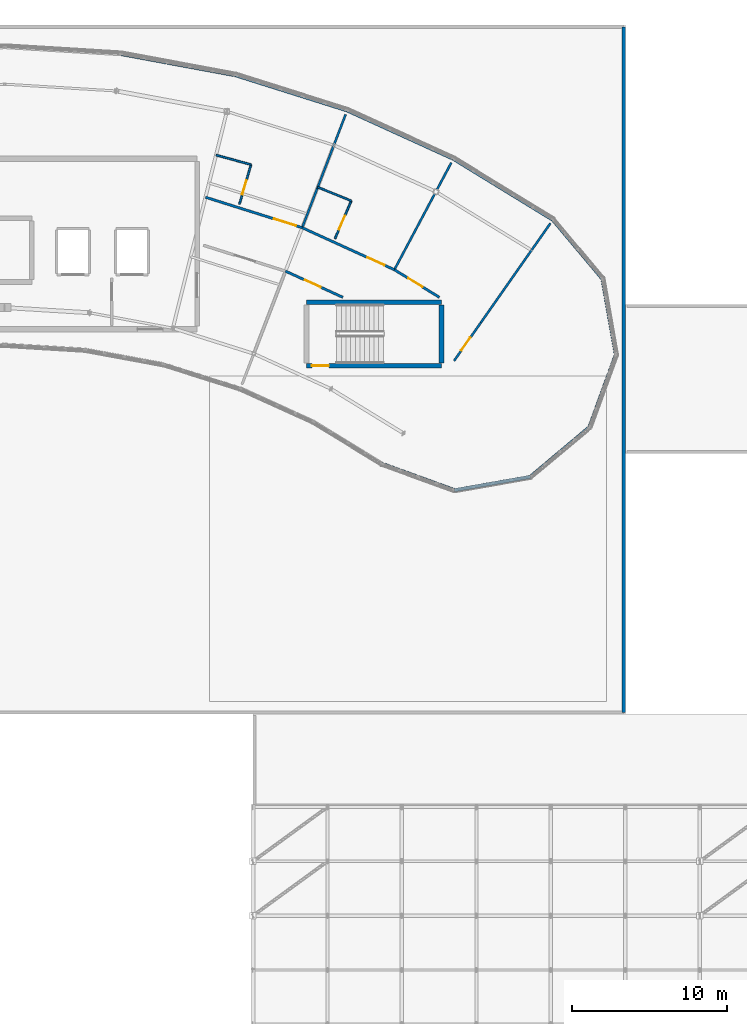
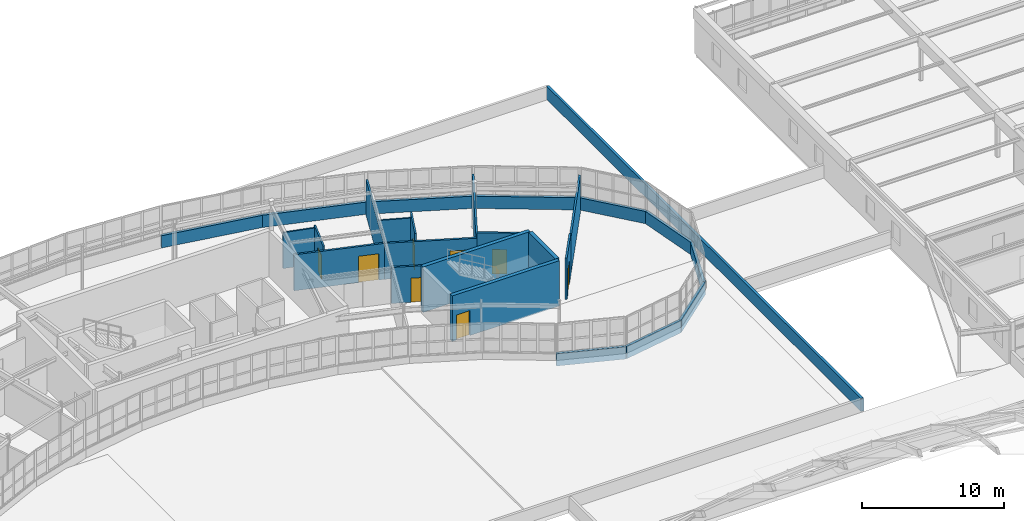
# One storey, part 108 of 128: 26 walls, 8 doors, 8 openings.
"""IFC4 building model written with IfcOpenShell, lengths in metres."""

from ifc_helpers import new_model, si_unit, direction, frame, frame_2d, origin, place, context, subcontext, project, spatial, rectangle, extrude, material, layer, layer_set, type_object, element, fill, save


model = new_model("IFC4")

# Units and contexts
model_context = context("Model", 3, precision=1e-05, world=origin(), true_north=direction((0.0, 1.0)))
body_context = subcontext(model_context, "Body", "Model", "MODEL_VIEW")
ifc_project = project(units=[si_unit("LENGTHUNIT", "METRE"), si_unit("AREAUNIT", "SQUARE_METRE"), si_unit("VOLUMEUNIT", "CUBIC_METRE"), si_unit("PLANEANGLEUNIT", "RADIAN"), si_unit("MASSUNIT", "GRAM", prefix="KILO")], contexts=[model_context])

# Site, building, storey
site_placement = place(None, origin())
site = spatial("IfcSite", under=ifc_project, at=site_placement, CompositionType="ELEMENT")
building_placement = place(site_placement, origin())
building = spatial("IfcBuilding", under=site, at=building_placement, Name="Tarnwether General Hospital", CompositionType="ELEMENT")
storey_placement = place(building_placement, frame((0.0, 0.0, 14.39990234375)))
storey = spatial("IfcBuildingStorey", under=building, at=storey_placement, Name="L03", CompositionType="ELEMENT", Elevation=14.39990234375)

# Walls
ifc_material_1 = material(Name="Streamlined white enamelled aluminium", Category="aluminium")
ifc_layer_1 = layer(ifc_material_1, 0.219970703125)
ifc_layer_set_1 = layer_set([ifc_layer_1], Name="Streamlined white enamelled aluminium")
wall_type_1 = type_object("IfcWallType", Name="WL-EX220", PredefinedType="STANDARD", material=ifc_layer_set_1)
wall_1_placement = place(storey_placement, frame((120.989013671875, 96.031982421875, 0.0), z_axis=(0.0, 0.0, 1.0), x_axis=(-0.939654190044, 0.34212571247, 0.0)))
element("IfcWall", 1, at=wall_1_placement, inside=storey, type_object=wall_type_1, Name="Ward NW Streamlined White Spandrel EW-L03-0016", PredefinedType="STANDARD", context=body_context, shape_type="SweptSolid", body=[
    extrude(rectangle(XDim=4.96875, YDim=0.219970703125, at=frame_2d((2.484375, 0.0))), origin(), (0.0, 0.0, 1.0), 1.050048828125),
])
wall_2_placement = place(storey_placement, frame((125.883056640625, 96.89501953125, 0.0), z_axis=(0.0, 0.0, 1.0), x_axis=(-0.984804817938, -0.173664822479, 0.0)))
element("IfcWall", 2, at=wall_2_placement, inside=storey, type_object=wall_type_1, Name="Ward NW Streamlined White Spandrel EW-L03-0017", PredefinedType="STANDARD", context=body_context, shape_type="SweptSolid", body=[
    extrude(rectangle(XDim=4.969482421875, YDim=0.219970703125, at=frame_2d((2.48486328125, 0.0))), origin(), (0.0, 0.0, 1.0), 1.050048828125),
])
wall_3_placement = place(storey_placement, frame((129.68994140625, 100.090087890625, 0.0), z_axis=(0.0, 0.0, 1.0), x_axis=(-0.765973821879, -0.642871763415, 0.0)))
element("IfcWall", 3, at=wall_3_placement, inside=storey, type_object=wall_type_1, Name="Ward NW Streamlined White Spandrel EW-L03-0018", PredefinedType="STANDARD", context=body_context, shape_type="SweptSolid", body=[
    extrude(rectangle(XDim=4.969970703125, YDim=0.219970703125, at=frame_2d((2.48486328125, 0.0))), origin(), (0.0, 0.0, 1.0), 1.050048828125),
])
wall_4_placement = place(storey_placement, frame((131.388916015625, 104.759033203125, 0.0), z_axis=(0.0, 0.0, 1.0), x_axis=(-0.341952160632, -0.939717361678, 0.0)))
element("IfcWall", 4, at=wall_4_placement, inside=storey, type_object=wall_type_1, Name="Ward NW Streamlined White Spandrel EW-L03-0019", PredefinedType="STANDARD", context=body_context, shape_type="SweptSolid", body=[
    extrude(rectangle(XDim=4.968505859375, YDim=0.219970703125, at=frame_2d((2.484375, 0.0))), origin(), (0.0, 0.0, 1.0), 1.050048828125),
])
wall_5_placement = place(storey_placement, frame((130.527099609375, 109.653076171875, 0.0), z_axis=(0.0, 0.0, 1.0), x_axis=(0.173426579259, -0.984846801085, 0.0)))
element("IfcWall", 5, at=wall_5_placement, inside=storey, type_object=wall_type_1, Name="Ward NW Streamlined White Spandrel EW-L03-0020", PredefinedType="STANDARD", context=body_context, shape_type="SweptSolid", body=[
    extrude(rectangle(XDim=4.96923828125, YDim=0.219970703125, at=frame_2d((2.484619140625, 0.0))), origin(), (0.0, 0.0, 1.0), 1.050048828125),
])
wall_6_placement = place(storey_placement, frame((127.33203125, 113.4599609375, 0.0), z_axis=(0.0, 0.0, 1.0), x_axis=(0.642871763415, -0.765973821879, 0.0)))
element("IfcWall", 6, at=wall_6_placement, inside=storey, type_object=wall_type_1, Name="Ward NW Streamlined White Spandrel EW-L03-0021", PredefinedType="STANDARD", context=body_context, shape_type="SweptSolid", body=[
    extrude(rectangle(XDim=4.969970703125, YDim=0.219970703125, at=frame_2d((2.48486328125, 0.0))), origin(), (0.0, 0.0, 1.0), 1.050048828125),
])
wall_7_placement = place(storey_placement, frame((120.9189453125, 117.389892578125, 0.0), z_axis=(0.0, 0.0, 1.0), x_axis=(0.852640903338, -0.522497358803, 0.0)))
element("IfcWall", 7, at=wall_7_placement, inside=storey, type_object=wall_type_1, Name="Ward NW Streamlined White Spandrel EW-L03-0022", PredefinedType="STANDARD", context=body_context, shape_type="SweptSolid", body=[
    extrude(rectangle(XDim=7.521484375, YDim=0.219970703125, at=frame_2d((3.7607421875, 0.0))), origin(), (0.0, 0.0, 1.0), 1.050048828125),
])
wall_8_placement = place(storey_placement, frame((114.074951171875, 120.509033203125, 0.0), z_axis=(0.0, 0.0, 1.0), x_axis=(0.909953604353, -0.414710064895, 0.0)))
element("IfcWall", 8, at=wall_8_placement, inside=storey, type_object=wall_type_1, Name="Ward NW Streamlined White Spandrel EW-L03-0023", PredefinedType="STANDARD", context=body_context, shape_type="SweptSolid", body=[
    extrude(rectangle(XDim=7.521240234375, YDim=0.219970703125, at=frame_2d((3.7607421875, 0.0))), origin(), (0.0, 0.0, 1.0), 1.050048828125),
])
wall_9_placement = place(storey_placement, frame((106.902099609375, 122.77001953125, 0.0), z_axis=(0.0, 0.0, 1.0), x_axis=(0.953740021466, -0.300632618747, 0.0)))
element("IfcWall", 9, at=wall_9_placement, inside=storey, type_object=wall_type_1, Name="Ward NW Streamlined White Spandrel EW-L03-0024", PredefinedType="STANDARD", context=body_context, shape_type="SweptSolid", body=[
    extrude(rectangle(XDim=7.520751953125, YDim=0.219970703125, at=frame_2d((3.76025390625, 0.0))), origin(), (0.0, 0.0, 1.0), 1.050048828125),
])
wall_10_placement = place(storey_placement, frame((99.507080078125, 124.14111328125, 0.0), z_axis=(0.0, 0.0, 1.0), x_axis=(0.983242805192, -0.18230081195, 0.0)))
element("IfcWall", 10, at=wall_10_placement, inside=storey, type_object=wall_type_1, Name="Ward NW Streamlined White Spandrel EW-L03-0025", PredefinedType="STANDARD", context=body_context, shape_type="SweptSolid", body=[
    extrude(rectangle(XDim=7.52099609375, YDim=0.219970703125, at=frame_2d((3.760498046875, 0.0))), origin(), (0.0, 0.0, 1.0), 1.050048828125),
])
ifc_material_2 = material(Name="Precast concrete 40 MPa", Category="concrete")
ifc_layer_2 = layer(ifc_material_2, 0.199951171875)
ifc_layer_set_2 = layer_set([ifc_layer_2], Name="Precast concrete 40 MPa")
wall_type_2 = type_object("IfcWallType", Name="WL-PR200", PredefinedType="PARAPET", material=ifc_layer_set_2)
wall_11_placement = place(storey_placement, frame((131.89990234375, 125.89990234375, 0.330078125), z_axis=(0.0, 0.0, 1.0), x_axis=(0.0, -1.0, 0.0)))
element("IfcWall", 11, at=wall_11_placement, inside=storey, type_object=wall_type_2, Name="Flat Roof Parapet EW-L03-0351", PredefinedType="PARAPET", context=body_context, shape_type="SweptSolid", body=[
    extrude(rectangle(XDim=44.199951171875, YDim=0.199951171875, at=frame_2d((22.10009765625, 0.0))), origin(), (0.0, 0.0, 1.0), 1.1201171875),
])

# Wall, opening, door
ifc_material_3 = material(Name="Gypsum plasterboard")
ifc_layer_3 = layer(ifc_material_3, 0.1201171875)
ifc_layer_set_3 = layer_set([ifc_layer_3], Name="Gypsum plasterboard")
wall_type_3 = type_object("IfcWallType", Name="WL-PT120", PredefinedType="PARTITIONING", material=ifc_layer_set_3)
wall_12_placement = place(storey_placement, frame((107.126953125, 114.462890625, 0.0), z_axis=(0.0, 0.0, 1.0), x_axis=(0.281962578993, 0.959425403066, 0.0)))
wall_12 = element("IfcWall", 12, at=wall_12_placement, inside=storey, type_object=wall_type_3, Name="Interior Partition PT-L03-0314", PredefinedType="PARTITIONING", context=body_context, shape_type="SweptSolid", body=[
    extrude(rectangle(XDim=2.659912109375, YDim=0.1201171875, at=frame_2d((1.330078125, 0.0))), origin(), (0.0, 0.0, 1.0), 3.2890625),
])
opening_1_placement = place(wall_12_placement, frame((0.64990234375, 0.0, 0.0)))
opening_1 = element("IfcOpeningElement", 13, at=opening_1_placement, cuts=wall_12, Name="Opening D-10", PredefinedType="OPENING", context=body_context, shape_type="SweptSolid", body=[
    extrude(rectangle(XDim=0.9599609375, YDim=2.06005859375, at=frame_2d((0.47998046875, 1.030029296875))), frame((0.0, 0.070068359375, 0.0), z_axis=(0.0, -1.0, 0.0), x_axis=(1.0, 0.0, 0.0)), (0.0, 0.0, 1.0), 0.14013671875),
])
ifc_material_4 = material(Name="Anodised aluminium", Category="aluminium")
door_type_1 = type_object("IfcDoorType", Name="DR-IN10", OperationType="NOTDEFINED", PredefinedType="DOOR", material=ifc_material_4)
door_1_placement = place(opening_1_placement, origin())
door_1 = element("IfcDoor", 14, at=door_1_placement, inside=storey, type_object=door_type_1, Name="Interior Door DR-L03-0175", OperationType="SINGLE_SWING_LEFT", OverallHeight=2.06005859375, OverallWidth=0.9599609375, PredefinedType="DOOR", context=body_context, shape_type="SweptSolid", body=[
    extrude(rectangle(XDim=0.9599609375, YDim=2.06005859375, at=frame_2d((0.47998046875, 1.030029296875))), frame((0.0, 0.02490234375, 0.0), z_axis=(0.0, -1.0, 0.0), x_axis=(1.0, 0.0, 0.0)), (0.0, 0.0, 1.0), 0.050048828125),
])
fill(opening_1, door_1)

# Wall
wall_13_placement = place(storey_placement, frame((105.6201171875, 117.6279296875, 0.0), z_axis=(0.0, 0.0, 1.0), x_axis=(0.965030735715, -0.262136756532, 0.0)))
element("IfcWall", 15, at=wall_13_placement, inside=storey, type_object=wall_type_3, Name="Interior Partition PT-L03-0315", PredefinedType="PARTITIONING", context=body_context, shape_type="SweptSolid", body=[
    extrude(rectangle(XDim=2.338623046875, YDim=0.1201171875, at=frame_2d((1.16943359375, 0.0))), origin(), (0.0, 0.0, 1.0), 3.085205078125),
])

# Wall, opening, door
wall_14_placement = place(storey_placement, frame((113.285888671875, 112.236083984375, 0.0), z_axis=(0.0, 0.0, 1.0), x_axis=(0.396798265053, 0.917905843129, 0.0)))
wall_14 = element("IfcWall", 16, at=wall_14_placement, inside=storey, type_object=wall_type_3, Name="Interior Partition PT-L03-0320", PredefinedType="PARTITIONING", context=body_context, shape_type="SweptSolid", body=[
    extrude(rectangle(XDim=2.6591796875, YDim=0.1201171875, at=frame_2d((1.32958984375, 0.0))), origin(), (0.0, 0.0, 1.0), 3.56005859375),
])
opening_2_placement = place(wall_14_placement, frame((0.64990234375, 0.0, 0.0)))
opening_2 = element("IfcOpeningElement", 17, at=opening_2_placement, cuts=wall_14, Name="Opening D-10", PredefinedType="OPENING", context=body_context, shape_type="SweptSolid", body=[
    extrude(rectangle(XDim=0.9599609375, YDim=2.06005859375, at=frame_2d((0.47998046875, 1.030029296875))), frame((0.0, 0.070068359375, 0.0), z_axis=(0.0, -1.0, 0.0), x_axis=(1.0, 0.0, 0.0)), (0.0, 0.0, 1.0), 0.14013671875),
])
door_2_placement = place(opening_2_placement, origin())
door_2 = element("IfcDoor", 18, at=door_2_placement, inside=storey, type_object=door_type_1, Name="Interior Door DR-L03-0178", OperationType="SINGLE_SWING_RIGHT", OverallHeight=2.06005859375, OverallWidth=0.9599609375, PredefinedType="DOOR", context=body_context, shape_type="SweptSolid", body=[
    extrude(rectangle(XDim=0.9599609375, YDim=2.06005859375, at=frame_2d((0.47998046875, 1.030029296875))), frame((0.0, 0.02490234375, 0.0), z_axis=(0.0, -1.0, 0.0), x_axis=(1.0, 0.0, 0.0)), (0.0, 0.0, 1.0), 0.050048828125),
])
fill(opening_2, door_2)

# Walls
wall_15_placement = place(storey_placement, frame((112.176025390625, 115.56103515625, 0.0), z_axis=(0.0, 0.0, 1.0), x_axis=(0.925796200481, -0.378023008789, 0.0)))
element("IfcWall", 19, at=wall_15_placement, inside=storey, type_object=wall_type_3, Name="Interior Partition PT-L03-0321", PredefinedType="PARTITIONING", context=body_context, shape_type="SweptSolid", body=[
    extrude(rectangle(XDim=2.338623046875, YDim=0.1201171875, at=frame_2d((1.16943359375, 0.0))), origin(), (0.0, 0.0, 1.0), 3.088134765625),
])
ifc_material_5 = material(Name="Gypsum plasterboard")
ifc_layer_4 = layer(ifc_material_5, 0.139892578125)
ifc_layer_set_4 = layer_set([ifc_layer_4], Name="Gypsum plasterboard")
wall_type_4 = type_object("IfcWallType", Name="WL-PT140", PredefinedType="PARTITIONING", material=ifc_layer_set_4)
wall_16_placement = place(storey_placement, frame((111.173095703125, 112.947021484375, 0.0), z_axis=(0.0, 0.0, 1.0), x_axis=(0.358342954102, 0.933590020965, 0.0)))
element("IfcWall", 20, at=wall_16_placement, inside=storey, type_object=wall_type_4, Name="Interior Partition PT-L03-0317", PredefinedType="PARTITIONING", context=body_context, shape_type="SweptSolid", body=[
    extrude(rectangle(XDim=7.8193359375, YDim=0.139892578125, at=frame_2d((3.90966796875, 0.0))), origin(), (0.0, 0.0, 1.0), 3.088134765625),
])
wall_17_placement = place(storey_placement, frame((117.116943359375, 110.238037109375, 0.0), z_axis=(0.0, 0.0, 1.0), x_axis=(0.469490767167, 0.88293738144, 0.0)))
element("IfcWall", 21, at=wall_17_placement, inside=storey, type_object=wall_type_4, Name="Interior Partition PT-L03-0323", PredefinedType="PARTITIONING", context=body_context, shape_type="SweptSolid", body=[
    extrude(rectangle(XDim=7.8193359375, YDim=0.139892578125, at=frame_2d((3.90966796875, 0.0))), origin(), (0.0, 0.0, 1.0), 3.091064453125),
])
wall_18_placement = place(storey_placement, frame((122.68603515625, 106.824951171875, 0.0), z_axis=(0.0, 0.0, 1.0), x_axis=(0.573682336084, 0.819077882295, 0.0)))
element("IfcWall", 22, at=wall_18_placement, inside=storey, type_object=wall_type_4, Name="Interior Partition PT-L03-0326", PredefinedType="PARTITIONING", context=body_context, shape_type="SweptSolid", body=[
    extrude(rectangle(XDim=7.81982421875, YDim=0.139892578125, at=frame_2d((3.909912109375, 0.0))), origin(), (0.0, 0.0, 1.0), 3.14208984375),
])

# Wall, opening, door
wall_19_placement = place(storey_placement, frame((120.966064453125, 104.366943359375, 0.0), z_axis=(0.0, 0.0, 1.0), x_axis=(0.573320330817, 0.819331311663, 0.0)))
wall_19 = element("IfcWall", 23, at=wall_19_placement, inside=storey, type_object=wall_type_4, Name="Interior Partition PT-L03-0328", PredefinedType="PARTITIONING", context=body_context, shape_type="SweptSolid", body=[
    extrude(rectangle(XDim=3.0, YDim=0.139892578125, at=frame_2d((1.5, 0.0))), origin(), (0.0, 0.0, 1.0), 3.56005859375),
])
opening_3_placement = place(wall_19_placement, frame((0.800048828125, 0.0, 0.0)))
opening_3 = element("IfcOpeningElement", 24, at=opening_3_placement, cuts=wall_19, Name="Opening D-09", PredefinedType="OPENING", context=body_context, shape_type="SweptSolid", body=[
    extrude(rectangle(XDim=1.02001953125, YDim=2.080078125, at=frame_2d((0.510009765625, 1.0400390625))), frame((0.0, 0.080078125, 0.0), z_axis=(0.0, -1.0, 0.0), x_axis=(1.0, 0.0, 0.0)), (0.0, 0.0, 1.0), 0.159912109375),
])
ifc_material_6 = material(Name="Anodised aluminium", Category="aluminium")
door_type_2 = type_object("IfcDoorType", Name="DR-IN09", OperationType="NOTDEFINED", PredefinedType="DOOR", material=ifc_material_6)
door_3_placement = place(opening_3_placement, origin())
door_3 = element("IfcDoor", 25, at=door_3_placement, inside=storey, type_object=door_type_2, Name="Interior Door DR-L03-0182", OperationType="SINGLE_SWING_RIGHT", OverallHeight=2.080078125, OverallWidth=1.02001953125, PredefinedType="DOOR", context=body_context, shape_type="SweptSolid", body=[
    extrude(rectangle(XDim=1.02001953125, YDim=2.080078125, at=frame_2d((0.510009765625, 1.0400390625))), frame((0.0, 0.02490234375, 0.0), z_axis=(0.0, -1.0, 0.0), x_axis=(1.0, 0.0, 0.0)), (0.0, 0.0, 1.0), 0.050048828125),
])
fill(opening_3, door_3)

ifc_material_7 = material(Name="Gypsum plasterboard")
ifc_layer_5 = layer(ifc_material_7, 0.159912109375)
ifc_layer_set_5 = layer_set([ifc_layer_5], Name="Gypsum plasterboard")
wall_type_5 = type_object("IfcWallType", Name="WL-PT160", PredefinedType="PARTITIONING", material=ifc_layer_set_5)
wall_20_placement = place(storey_placement, frame((104.943115234375, 114.910888671875, 0.0), z_axis=(0.0, 0.0, 1.0), x_axis=(0.953736183483, -0.30064479426, 0.0)))
wall_20 = element("IfcWall", 26, at=wall_20_placement, inside=storey, type_object=wall_type_5, Name="Interior Partition PT-L03-0316", PredefinedType="PARTITIONING", context=body_context, shape_type="SweptSolid", body=[
    extrude(rectangle(XDim=6.5322265625, YDim=0.159912109375, at=frame_2d((3.26611328125, 0.0))), origin(), (0.0, 0.0, 1.0), 3.085205078125),
])
opening_4_placement = place(wall_20_placement, frame((4.632080078125, 0.0, 0.0)))
opening_4 = element("IfcOpeningElement", 27, at=opening_4_placement, cuts=wall_20, Name="Opening SD-03", PredefinedType="OPENING", context=body_context, shape_type="SweptSolid", body=[
    extrude(rectangle(XDim=1.47998046875, YDim=2.260009765625, at=frame_2d((0.739990234375, 1.1298828125))), frame((0.0, 0.08984375, 0.0), z_axis=(0.0, -1.0, 0.0), x_axis=(1.0, 0.0, 0.0)), (0.0, 0.0, 1.0), 0.179931640625),
])
ifc_material_8 = material(Name="Anodised aluminium", Category="aluminium")
door_type_3 = type_object("IfcDoorType", Name="DR-OR03", OperationType="NOTDEFINED", PredefinedType="DOOR", material=ifc_material_8)
door_4_placement = place(opening_4_placement, origin())
door_4 = element("IfcDoor", 28, at=door_4_placement, inside=storey, type_object=door_type_3, Name="Interior Door DR-L03-0176", OperationType="SLIDING_TO_LEFT", OverallHeight=2.260009765625, OverallWidth=1.47998046875, PredefinedType="DOOR", context=body_context, shape_type="SweptSolid", body=[
    extrude(rectangle(XDim=1.47998046875, YDim=2.260009765625, at=frame_2d((0.739990234375, 1.1298828125))), frame((0.0, 0.02490234375, 0.0), z_axis=(0.0, -1.0, 0.0), x_axis=(1.0, 0.0, 0.0)), (0.0, 0.0, 1.0), 0.050048828125),
])
fill(opening_4, door_4)

wall_21_placement = place(storey_placement, frame((111.173095703125, 112.947021484375, 0.0), z_axis=(0.0, 0.0, 1.0), x_axis=(0.909948737979, -0.414720742488, 0.0)))
wall_21 = element("IfcWall", 29, at=wall_21_placement, inside=storey, type_object=wall_type_5, Name="Interior Partition PT-L03-0322", PredefinedType="PARTITIONING", context=body_context, shape_type="SweptSolid", body=[
    extrude(rectangle(XDim=6.531982421875, YDim=0.159912109375, at=frame_2d((3.26611328125, 0.0))), origin(), (0.0, 0.0, 1.0), 3.088134765625),
])
opening_5_placement = place(wall_21_placement, frame((4.632080078125, 0.0, 0.0)))
opening_5 = element("IfcOpeningElement", 30, at=opening_5_placement, cuts=wall_21, Name="Opening D-05", PredefinedType="OPENING", context=body_context, shape_type="SweptSolid", body=[
    extrude(rectangle(XDim=1.199951171875, YDim=2.1201171875, at=frame_2d((0.60009765625, 1.06005859375))), frame((0.0, 0.08984375, 0.0), z_axis=(0.0, -1.0, 0.0), x_axis=(1.0, 0.0, 0.0)), (0.0, 0.0, 1.0), 0.179931640625),
])
ifc_material_9 = material(Name="Anodised aluminium", Category="aluminium")
door_type_4 = type_object("IfcDoorType", Name="DR-IN05", OperationType="NOTDEFINED", PredefinedType="DOOR", material=ifc_material_9)
door_5_placement = place(opening_5_placement, origin())
door_5 = element("IfcDoor", 31, at=door_5_placement, inside=storey, type_object=door_type_4, Name="Interior Door DR-L03-0179", OperationType="SINGLE_SWING_LEFT", OverallHeight=2.1201171875, OverallWidth=1.199951171875, PredefinedType="DOOR", context=body_context, shape_type="SweptSolid", body=[
    extrude(rectangle(XDim=1.199951171875, YDim=2.1201171875, at=frame_2d((0.60009765625, 1.06005859375))), frame((0.0, 0.02490234375, 0.0), z_axis=(0.0, -1.0, 0.0), x_axis=(1.0, 0.0, 0.0)), (0.0, 0.0, 1.0), 0.050048828125),
])
fill(opening_5, door_5)

wall_22_placement = place(storey_placement, frame((110.097900390625, 110.14599609375, 0.0), z_axis=(0.0, 0.0, 1.0), x_axis=(0.909942329762, -0.414734802623, 0.0)))
wall_22 = element("IfcWall", 32, at=wall_22_placement, inside=storey, type_object=wall_type_5, Name="Interior Partition PT-L03-0324", PredefinedType="PARTITIONING", context=body_context, shape_type="SweptSolid", body=[
    extrude(rectangle(XDim=4.0654296875, YDim=0.159912109375, at=frame_2d((2.03271484375, 0.0))), origin(), (0.0, 0.0, 1.0), 3.088134765625),
])
opening_6_placement = place(wall_22_placement, frame((1.383056640625, 0.0, 0.0)))
opening_6 = element("IfcOpeningElement", 33, at=opening_6_placement, cuts=wall_22, Name="Opening D-07", PredefinedType="OPENING", context=body_context, shape_type="SweptSolid", body=[
    extrude(rectangle(XDim=1.1201171875, YDim=2.080078125, at=frame_2d((0.56005859375, 1.0400390625))), frame((0.0, 0.08984375, 0.0), z_axis=(0.0, -1.0, 0.0), x_axis=(1.0, 0.0, 0.0)), (0.0, 0.0, 1.0), 0.179931640625),
])
ifc_material_10 = material(Name="Anodised aluminium", Category="aluminium")
door_type_5 = type_object("IfcDoorType", Name="DR-IN07", OperationType="NOTDEFINED", PredefinedType="DOOR", material=ifc_material_10)
door_6_placement = place(opening_6_placement, origin())
door_6 = element("IfcDoor", 34, at=door_6_placement, inside=storey, type_object=door_type_5, Name="Interior Door DR-L03-0180", OperationType="SINGLE_SWING_RIGHT", OverallHeight=2.080078125, OverallWidth=1.1201171875, PredefinedType="DOOR", context=body_context, shape_type="SweptSolid", body=[
    extrude(rectangle(XDim=1.1201171875, YDim=2.080078125, at=frame_2d((0.56005859375, 1.0400390625))), frame((0.0, 0.02490234375, 0.0), z_axis=(0.0, -1.0, 0.0), x_axis=(1.0, 0.0, 0.0)), (0.0, 0.0, 1.0), 0.050048828125),
])
fill(opening_6, door_6)

wall_23_placement = place(storey_placement, frame((117.116943359375, 110.238037109375, 0.0), z_axis=(0.0, 0.0, 1.0), x_axis=(0.852605377196, -0.522555327957, 0.0)))
wall_23 = element("IfcWall", 35, at=wall_23_placement, inside=storey, type_object=wall_type_5, Name="Interior Partition PT-L03-0325", PredefinedType="PARTITIONING", context=body_context, shape_type="SweptSolid", body=[
    extrude(rectangle(XDim=3.402587890625, YDim=0.159912109375, at=frame_2d((1.701171875, 0.0))), origin(), (0.0, 0.0, 1.0), 3.56005859375),
])
opening_7_placement = place(wall_23_placement, frame((1.051025390625, 0.0, 0.0)))
opening_7 = element("IfcOpeningElement", 36, at=opening_7_placement, cuts=wall_23, Name="Opening D-08", PredefinedType="OPENING", context=body_context, shape_type="SweptSolid", body=[
    extrude(rectangle(XDim=1.06005859375, YDim=2.10009765625, at=frame_2d((0.530029296875, 1.050048828125))), frame((0.0, 0.08984375, 0.0), z_axis=(0.0, -1.0, 0.0), x_axis=(1.0, 0.0, 0.0)), (0.0, 0.0, 1.0), 0.179931640625),
])
ifc_material_11 = material(Name="Anodised aluminium", Category="aluminium")
door_type_6 = type_object("IfcDoorType", Name="DR-IN08", OperationType="NOTDEFINED", PredefinedType="DOOR", material=ifc_material_11)
door_7_placement = place(opening_7_placement, origin())
door_7 = element("IfcDoor", 37, at=door_7_placement, inside=storey, type_object=door_type_6, Name="Interior Door DR-L03-0181", OperationType="SINGLE_SWING_LEFT", OverallHeight=2.10009765625, OverallWidth=1.06005859375, PredefinedType="DOOR", context=body_context, shape_type="SweptSolid", body=[
    extrude(rectangle(XDim=1.06005859375, YDim=2.10009765625, at=frame_2d((0.530029296875, 1.050048828125))), frame((0.0, 0.02490234375, 0.0), z_axis=(0.0, -1.0, 0.0), x_axis=(1.0, 0.0, 0.0)), (0.0, 0.0, 1.0), 0.050048828125),
])
fill(opening_7, door_7)

ifc_material_12 = material(Name="Concrete 50 MPa", Category="concrete")
ifc_layer_6 = layer(ifc_material_12, 0.300048828125)
ifc_layer_set_6 = layer_set([ifc_layer_6], Name="Concrete 50 MPa")
wall_type_6 = type_object("IfcWallType", Name="WL-SW300", PredefinedType="SHEAR", material=ifc_layer_set_6)
wall_24_placement = place(storey_placement, frame((111.449951171875, 104.050048828125, 0.0), z_axis=(0.0, 0.0, 1.0), x_axis=(1.0, 0.0, 0.0)))
wall_24 = element("IfcWall", 38, at=wall_24_placement, inside=storey, type_object=wall_type_6, Name="Stairwell Shear Wall STW-ST-08-L03-B", PredefinedType="SHEAR", context=body_context, shape_type="SweptSolid", body=[
    extrude(rectangle(XDim=8.699951171875, YDim=0.300048828125, at=frame_2d((4.35009765625, 0.0))), origin(), (0.0, 0.0, 1.0), 3.900146484375),
])
opening_8_placement = place(wall_24_placement, frame((0.35009765625, 0.0, 0.0)))
opening_8 = element("IfcOpeningElement", 39, at=opening_8_placement, cuts=wall_24, Name="Opening FD-06", PredefinedType="OPENING", context=body_context, shape_type="SweptSolid", body=[
    extrude(rectangle(XDim=1.10009765625, YDim=2.14990234375, at=frame_2d((0.550048828125, 1.074951171875))), frame((0.0, 0.16015625, 0.0), z_axis=(0.0, -1.0, 0.0), x_axis=(1.0, 0.0, 0.0)), (0.0, 0.0, 1.0), 0.320068359375),
])
ifc_material_13 = material(Name="Anodised aluminium", Category="aluminium")
door_type_7 = type_object("IfcDoorType", Name="DR-FD06", OperationType="NOTDEFINED", PredefinedType="DOOR", material=ifc_material_13)
door_8_placement = place(opening_8_placement, origin())
door_8 = element("IfcDoor", 40, at=door_8_placement, inside=storey, type_object=door_type_7, Name="Stairwell ST-08 Safe-Path Fire Door L03", OperationType="SINGLE_SWING_LEFT", OverallHeight=2.14990234375, OverallWidth=1.10009765625, PredefinedType="DOOR", context=body_context, shape_type="SweptSolid", body=[
    extrude(rectangle(XDim=1.10009765625, YDim=2.14990234375, at=frame_2d((0.550048828125, 1.074951171875))), frame((0.0, 0.02490234375, 0.0), z_axis=(0.0, -1.0, 0.0), x_axis=(1.0, 0.0, 0.0)), (0.0, 0.0, 1.0), 0.050048828125),
])
fill(opening_8, door_8)

# Walls
wall_25_placement = place(storey_placement, frame((120.14990234375, 108.14990234375, 0.0), z_axis=(0.0, 0.0, 1.0), x_axis=(-1.0, 0.0, 0.0)))
element("IfcWall", 41, at=wall_25_placement, inside=storey, type_object=wall_type_6, Name="Stairwell Shear Wall STW-ST-08-L03-N", PredefinedType="SHEAR", context=body_context, shape_type="SweptSolid", body=[
    extrude(rectangle(XDim=8.699951171875, YDim=0.300048828125, at=frame_2d((4.35009765625, 0.0))), origin(), (0.0, 0.0, 1.0), 3.900146484375),
])
wall_26_placement = place(storey_placement, frame((120.14990234375, 104.219970703125, 0.0), z_axis=(0.0, 0.0, 1.0), x_axis=(0.0, 1.0, 0.0)))
element("IfcWall", 42, at=wall_26_placement, inside=storey, type_object=wall_type_6, Name="Stairwell Shear Wall STW-ST-08-L03-F", PredefinedType="SHEAR", context=body_context, shape_type="SweptSolid", body=[
    extrude(rectangle(XDim=3.760009765625, YDim=0.300048828125, at=frame_2d((1.8798828125, 0.0))), origin(), (0.0, 0.0, 1.0), 3.900146484375),
])

save(model, "model.ifc")
